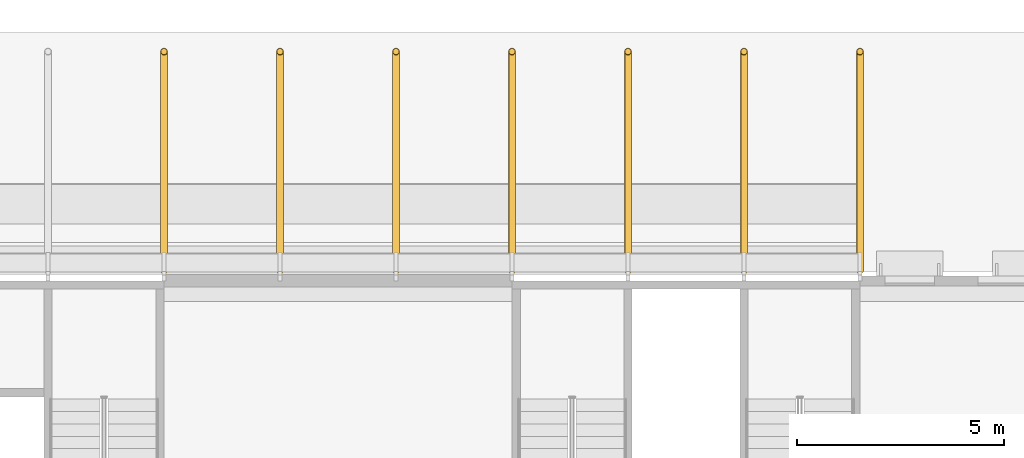
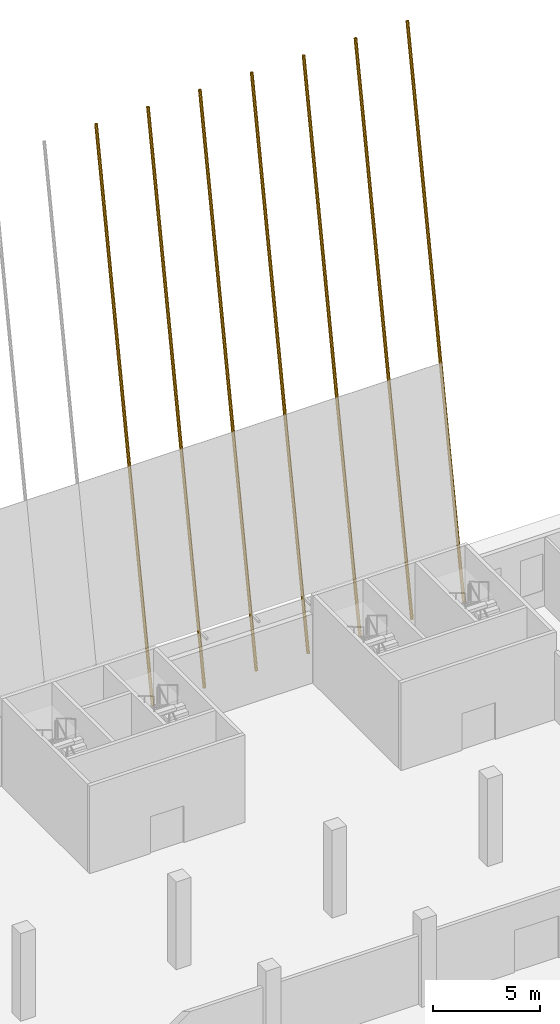
# One storey, part 101 of 101: 7 shading devices.
"""IFC4 building model written with IfcOpenShell, lengths in metres."""

from ifc_helpers import new_model, si_unit, direction, frame, origin, origin_2d, place, context, subcontext, project, spatial, hollow_circle, extrude, material, material_profile, profile_set, type_object, element, save


model = new_model("IFC4")

# Units and contexts
model_context = context("Model", 3, precision=1e-05, world=origin(), true_north=direction((0.0, 1.0)))
body_context = subcontext(model_context, "Body", "Model", "MODEL_VIEW")
ifc_project = project(units=[si_unit("LENGTHUNIT", "METRE"), si_unit("AREAUNIT", "SQUARE_METRE"), si_unit("VOLUMEUNIT", "CUBIC_METRE"), si_unit("PLANEANGLEUNIT", "RADIAN"), si_unit("MASSUNIT", "GRAM", prefix="KILO")], contexts=[model_context])

# Site, building, storey
site_placement = place(None, origin())
site = spatial("IfcSite", under=ifc_project, at=site_placement, CompositionType="ELEMENT")
building_placement = place(site_placement, origin())
building = spatial("IfcBuilding", under=site, at=building_placement, Name="Almond Square Museum", CompositionType="ELEMENT")
storey_placement = place(building_placement, frame((0.0, 0.0, 5.5)))
storey = spatial("IfcBuildingStorey", under=building, at=storey_placement, Name="L01", CompositionType="ELEMENT", Elevation=5.5)

# Shading devices
ifc_material = material(Name="Structural steel S355", Category="steel")
ifc_material_profile = material_profile(ifc_material, hollow_circle(Radius=0.084228515625, WallThickness=0.008056640625, at=origin_2d()))
ifc_profile_set = profile_set([ifc_material_profile], Name="Structural steel S355")
shading_device_type = type_object("IfcShadingDeviceType", Name="Louvre post CHS 168.3 x 8", PredefinedType="USERDEFINED", material=ifc_profile_set)
for number, where, z_axis, x_axis, name in (
    (1, (132.0, 109.45556640625, 1.44873046875), (0.0, 0.173641996106, 0.984808842968), (-1.0, 0.0, 0.0), "Louvre post N10"),
    (2, (134.800048828125, 109.45556640625, 1.44873046875), (0.0, 0.173641996106, 0.984808842968), (-1.0, 0.0, 0.0), "Louvre post N11"),
    (3, (137.60009765625, 109.45556640625, 1.44873046875), (0.0, 0.173641996106, 0.984808842968), (-1.0, 0.0, 0.0), "Louvre post N12"),
    (4, (140.39990234375, 109.45556640625, 1.44873046875), (0.0, 0.173641996106, 0.984808842968), (-1.0, 0.0, 0.0), "Louvre post N13"),
    (5, (143.199951171875, 109.45556640625, 1.44873046875), (0.0, 0.173641996106, 0.984808842968), (-1.0, 0.0, 0.0), "Louvre post N14"),
    (6, (146.0, 109.45556640625, 1.44873046875), (0.0, 0.173641996106, 0.984808842968), (-1.0, 0.0, 0.0), "Louvre post N15"),
    (7, (148.800048828125, 109.45556640625, 1.44873046875), (0.0, 0.173641996106, 0.984808842968), (-1.0, 0.0, 0.0), "Louvre post N16"),
):
    element("IfcShadingDevice", number, at=place(storey_placement, frame(where, z_axis=z_axis, x_axis=x_axis)), inside=storey, type_object=shading_device_type, Name=name, ObjectType="POST", PredefinedType="USERDEFINED", context=body_context, shape_type="SweptSolid", body=[
        extrude(hollow_circle(Radius=0.084228515625, WallThickness=0.008056640625, at=origin_2d()), origin(), (0.0, 0.0, 1.0), 30.4130859375),
    ])

save(model, "model.ifc")
